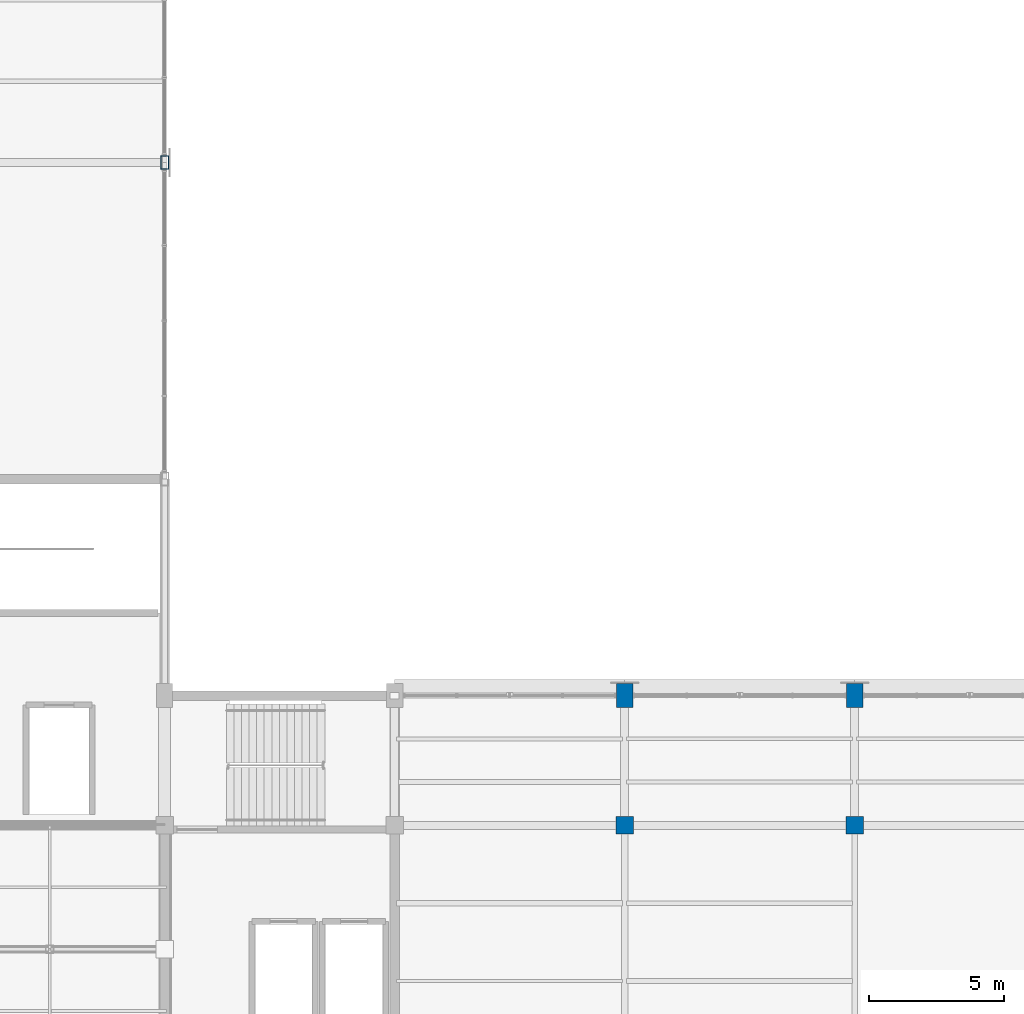
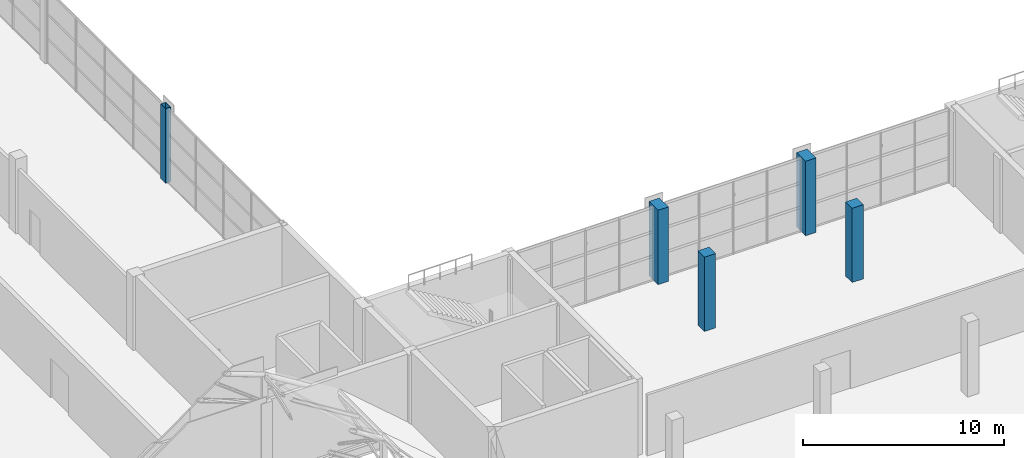
# One storey, part 3 of 86: 5 columns.
"""IFC4 building model written with IfcOpenShell, lengths in metres."""

import ifcopenshell
import ifcopenshell.guid

model = None  # the IFC model being written
_history = None  # IfcOwnerHistory: only IFC2X3 demands one
_inside = {}  # id of a spatial element -> (the spatial element, [elements in it])
_under = {}  # id of a project, library or spatial element -> (it, [spatial elements below it])
_declared = {}  # id of a project -> (the project, [libraries it declares])
_typed = {}  # id of a type object -> (the type object, [elements of that type])
_made_of = {}  # id of a material, layer set ... -> (it, [elements and type objects made of it])


def new_model(schema):
    """Start an empty IFC model of exactly this schema.

    Asked for "IFC4X3", IfcOpenShell would pick the latest addendum, in which some entities
    have other attributes; the version numbers below select the first issue.
    IFC2X3 requires an IfcOwnerHistory on every rooted entity: one is made here for all.
    """
    global model, _history
    if schema == "IFC4X3":
        model = ifcopenshell.file(schema_version=(4, 3, 0, 0))
    else:
        model = ifcopenshell.file(schema=schema)
    _inside.clear()
    _under.clear()
    _declared.clear()
    _typed.clear()
    _made_of.clear()
    _history = None
    if model.schema == "IFC2X3":
        org = make("IfcOrganization", Name="unknown")
        user = make(
            "IfcPersonAndOrganization",
            ThePerson=make("IfcPerson", FamilyName="unknown"),
            TheOrganization=org,
        )
        app = make(
            "IfcApplication",
            ApplicationDeveloper=org,
            Version="unknown",
            ApplicationFullName="unknown",
            ApplicationIdentifier="unknown",
        )
        _history = make(
            "IfcOwnerHistory",
            OwningUser=user,
            OwningApplication=app,
            ChangeAction="ADDED",
            CreationDate=0,
        )
    return model


def make(cls, **values):
    """One entity of the class cls with the attributes given. An attribute that is None is left unset."""
    return model.create_entity(
        cls, **{name: value for name, value in values.items() if value is not None}
    )


def rooted(cls, **values):
    """An entity with a GlobalId (a new one), such as an element, a storey or a relation."""
    return make(cls, GlobalId=ifcopenshell.guid.new(), OwnerHistory=_history, **values)


def si_unit(unit_type, name, prefix=None):
    """IfcSIUnit, for example si_unit("LENGTHUNIT", "METRE", prefix="MILLI")."""
    return make("IfcSIUnit", UnitType=unit_type, Prefix=prefix, Name=name)


def assignment(units):
    """IfcUnitAssignment: the units of a project."""
    return None if units is None else make("IfcUnitAssignment", Units=units)


def point(xyz):
    """IfcCartesianPoint."""
    return None if xyz is None else make("IfcCartesianPoint", Coordinates=xyz)


def direction(xyz):
    """IfcDirection."""
    return None if xyz is None else make("IfcDirection", DirectionRatios=xyz)


def frame(location, z_axis=None, x_axis=None):
    """IfcAxis2Placement3D, a coordinate frame: its origin and axes. An axis left out is left unset."""
    return make(
        "IfcAxis2Placement3D",
        Location=point(location),
        Axis=direction(z_axis),
        RefDirection=direction(x_axis),
    )


def frame_2d(location, x_axis=None):
    """IfcAxis2Placement2D, a coordinate frame in the plane: its origin and x axis."""
    return make(
        "IfcAxis2Placement2D", Location=point(location), RefDirection=direction(x_axis)
    )


def origin():
    """The frame at (0, 0, 0) with its axes left unset."""
    return frame((0.0, 0.0, 0.0))


def origin_2d():
    """The frame at (0, 0) in the plane with its x axis left unset."""
    return frame_2d((0.0, 0.0))


def place(relative_to, where):
    """IfcLocalPlacement: puts the frame where relative to a parent placement (None: the world)."""
    return make(
        "IfcLocalPlacement", PlacementRelTo=relative_to, RelativePlacement=where
    )


def context(
    kind, dimensions, precision=None, world=None, true_north=None, identifier=None
):
    """IfcGeometricRepresentationContext, for example the 3D "Model" context."""
    return make(
        "IfcGeometricRepresentationContext",
        ContextIdentifier=identifier,
        ContextType=kind,
        CoordinateSpaceDimension=dimensions,
        Precision=precision,
        WorldCoordinateSystem=world,
        TrueNorth=true_north,
    )


def subcontext(parent, identifier, kind, view, scale=None):
    """IfcGeometricRepresentationSubContext, for example "Body" below "Model"."""
    return make(
        "IfcGeometricRepresentationSubContext",
        ContextIdentifier=identifier,
        ContextType=kind,
        ParentContext=parent,
        TargetScale=scale,
        TargetView=view,
    )


def project(units=None, contexts=None):
    """IfcProject with its units and contexts."""
    return rooted(
        "IfcProject",
        Name="project",
        RepresentationContexts=contexts,
        UnitsInContext=assignment(units),
    )


def spatial(cls, under=None, at=None, **own):
    """A site, building, storey or space (cls), placed at a placement, below another one or the project."""
    s = rooted(cls, ObjectPlacement=at, **own)
    if under is not None:
        _under.setdefault(under.id(), (under, []))[1].append(s)
    return s


def profile(cls, at=None, kind="AREA", **sizes):
    """A parametric profile (cls). Its sizes go by their IFC names, for example OverallWidth=200.0."""
    return make(cls, ProfileType=kind, Position=at, **sizes)


def rectangle(**sizes):
    """IfcRectangleProfileDef."""
    return profile("IfcRectangleProfileDef", **sizes)


def hollow_rectangle(**sizes):
    """IfcRectangleHollowProfileDef."""
    return profile("IfcRectangleHollowProfileDef", **sizes)


def extrude(swept, where, along, depth):
    """IfcExtrudedAreaSolid: the profile swept, set in the frame where, extruded along a direction by depth."""
    return make(
        "IfcExtrudedAreaSolid",
        SweptArea=swept,
        Position=where,
        ExtrudedDirection=direction(along),
        Depth=depth,
    )


def shape(context_of_items, identifier, shape_type, items):
    """IfcShapeRepresentation: the items that make up one representation, for example the "Body"."""
    return make(
        "IfcShapeRepresentation",
        ContextOfItems=context_of_items,
        RepresentationIdentifier=identifier,
        RepresentationType=shape_type,
        Items=items,
    )


def material(Name=None, Category=None):
    """IfcMaterial."""
    return make("IfcMaterial", Name=Name, Category=Category)


def material_profile(
    of_material, cross_section, Name=None, Category=None, Priority=None
):
    """IfcMaterialProfile: a cross section and its material."""
    return make(
        "IfcMaterialProfile",
        Name=Name,
        Material=of_material,
        Profile=cross_section,
        Priority=Priority,
        Category=Category,
    )


def profile_set(profiles, Name=None, composite=None):
    """IfcMaterialProfileSet."""
    return make(
        "IfcMaterialProfileSet",
        Name=Name,
        MaterialProfiles=profiles,
        CompositeProfile=composite,
    )


def made_of(thing, what):
    """Note that an element or type object is made of a material, layer set ...; save() writes the relation."""
    if what is not None:
        _made_of.setdefault(what.id(), (what, []))[1].append(thing)
    return thing


def type_object(cls, material=None, **own):
    """A type object (cls), such as IfcWallType, which elements share."""
    return made_of(rooted(cls, **own), material)


def element(
    cls,
    number,
    at=None,
    inside=None,
    cuts=None,
    type_object=None,
    material=None,
    context=None,
    identifier="Body",
    shape_type=None,
    held_by="IfcProductDefinitionShape",
    body=None,
    shapes=None,
    **own,
):
    """One element of the class cls, such as IfcWall. Its Tag is "e" and its number.

    at: its placement. inside: the storey or other place that contains it. cuts: it is an
    opening in that element (IfcRelVoidsElement). A single representation is given by context,
    identifier, shape_type and body (its items); several are given by shapes. held_by: the class
    of the entity that holds the representations. save() writes the other relations.
    """
    e = rooted(cls, Tag="e%d" % number, ObjectPlacement=at, **own)
    if body is not None:
        shapes = [shape(context, identifier, shape_type, body)]
    if shapes is not None:
        e.Representation = make(held_by, Representations=shapes)
    if inside is not None:
        _inside.setdefault(inside.id(), (inside, []))[1].append(e)
    if cuts is not None:
        rooted(
            "IfcRelVoidsElement", RelatingBuildingElement=cuts, RelatedOpeningElement=e
        )
    if type_object is not None:
        _typed.setdefault(type_object.id(), (type_object, []))[1].append(e)
    return made_of(e, material)


def aggregate(whole, parts):
    """IfcRelAggregates: a whole, such as a stair, and the parts it consists of."""
    return rooted("IfcRelAggregates", RelatingObject=whole, RelatedObjects=parts)


def save(model, path):
    """Write the relations noted so far, then the file.

    IfcRelAggregates (storeys below a building ...), IfcRelContainedInSpatialStructure (elements
    in a storey), IfcRelDefinesByType, IfcRelAssociatesMaterial and IfcRelDeclares: one each for
    every whole, place, type object, material and project.
    """
    for whole, parts in _under.values():
        aggregate(whole, parts)
    for where, things in _inside.values():
        rooted(
            "IfcRelContainedInSpatialStructure",
            RelatedElements=things,
            RelatingStructure=where,
        )
    for kind, things in _typed.values():
        rooted("IfcRelDefinesByType", RelatedObjects=things, RelatingType=kind)
    for what, things in _made_of.values():
        rooted("IfcRelAssociatesMaterial", RelatedObjects=things, RelatingMaterial=what)
    for by, libraries in _declared.values():
        rooted("IfcRelDeclares", RelatingContext=by, RelatedDefinitions=libraries)
    model.write(path)


model = new_model("IFC4")

# Units and contexts
model_context = context("Model", 3, precision=1e-05, world=origin(), true_north=direction((0.0, 1.0)))
body_context = subcontext(model_context, "Body", "Model", "MODEL_VIEW")
ifc_project = project(units=[si_unit("LENGTHUNIT", "METRE"), si_unit("AREAUNIT", "SQUARE_METRE"), si_unit("VOLUMEUNIT", "CUBIC_METRE"), si_unit("PLANEANGLEUNIT", "RADIAN"), si_unit("MASSUNIT", "GRAM", prefix="KILO")], contexts=[model_context])

# Site, building, storey
site_placement = place(None, origin())
site = spatial("IfcSite", under=ifc_project, at=site_placement, CompositionType="ELEMENT")
building_placement = place(site_placement, origin())
building = spatial("IfcBuilding", under=site, at=building_placement, Name="Solvikara Media Centre", CompositionType="ELEMENT")
storey_placement = place(building_placement, frame((0.0, 0.0, 15.0)))
storey = spatial("IfcBuildingStorey", under=building, at=storey_placement, Name="L03", CompositionType="ELEMENT", Elevation=15.0)

# Columns
ifc_material_1 = material(Name="Concrete fc' 45 MPa (C45/55)", Category="concrete")
ifc_material_profile_1 = material_profile(ifc_material_1, rectangle(XDim=0.64990234375, YDim=0.64990234375, at=origin_2d()), Name="RC 650x650")
ifc_profile_set_1 = profile_set([ifc_material_profile_1], Name="Concrete fc' 45 MPa (C45/55)")
column_type_1 = type_object("IfcColumnType", Name="CL-02", PredefinedType="COLUMN", material=ifc_profile_set_1)
for number, where, z_axis, x_axis, name in (
    (1, (51.0, 32.0, 0.0), (0.0, 0.0, 1.0), (1.0, 0.0, 0.0), "C-L03-0510-0320"),
    (2, (59.5, 32.0, 0.0), (0.0, 0.0, 1.0), (1.0, 0.0, 0.0), "C-L03-0595-0320"),
):
    element("IfcColumn", number, at=place(storey_placement, frame(where, z_axis=z_axis, x_axis=x_axis)), inside=storey, type_object=column_type_1, Name=name, PredefinedType="COLUMN", context=body_context, shape_type="SweptSolid", body=[
        extrude(rectangle(XDim=0.64990234375, YDim=0.64990234375, at=origin_2d()), origin(), (0.0, 0.0, 1.0), 4.52001953125),
    ])
ifc_material_profile_2 = material_profile(ifc_material_1, rectangle(XDim=0.60009765625, YDim=0.89990234375, at=origin_2d()), Name="RC 600x900")
ifc_profile_set_2 = profile_set([ifc_material_profile_2], Name="Concrete fc' 45 MPa (C45/55)")
column_type_2 = type_object("IfcColumnType", Name="CL-10", PredefinedType="COLUMN", material=ifc_profile_set_2)
for number, where, z_axis, x_axis, name in (
    (3, (51.0, 36.800048828125, 0.0), (0.0, 0.0, 1.0), (1.0, 0.0, 0.0), "C-L03-0510-0368"),
    (4, (59.5, 36.800048828125, 0.0), (0.0, 0.0, 1.0), (1.0, 0.0, 0.0), "C-L03-0595-0368"),
):
    element("IfcColumn", number, at=place(storey_placement, frame(where, z_axis=z_axis, x_axis=x_axis)), inside=storey, type_object=column_type_2, Name=name, PredefinedType="COLUMN", context=body_context, shape_type="SweptSolid", body=[
        extrude(rectangle(XDim=0.60009765625, YDim=0.89990234375, at=origin_2d()), origin(), (0.0, 0.0, 1.0), 4.530029296875),
    ])
ifc_material_2 = material(Name="Steel S355JR", Category="steel")
ifc_material_profile_3 = material_profile(ifc_material_2, hollow_rectangle(XDim=0.300048828125, YDim=0.5, WallThickness=0.01611328125, at=origin_2d()), Name="RHS 500x300x16")
ifc_profile_set_3 = profile_set([ifc_material_profile_3], Name="Steel S355JR")
column_type_3 = type_object("IfcColumnType", Name="CL-28", PredefinedType="COLUMN", material=ifc_profile_set_3)
column_placement = place(storey_placement, frame((34.0, 56.5, 0.0), z_axis=(0.0, 0.0, 1.0), x_axis=(1.0, 0.0, 0.0)))
element("IfcColumn", 5, at=column_placement, inside=storey, type_object=column_type_3, Name="C-L03-0340-0565", PredefinedType="COLUMN", context=body_context, shape_type="SweptSolid", body=[
    extrude(hollow_rectangle(XDim=0.300048828125, YDim=0.5, WallThickness=0.01611328125, at=origin_2d()), origin(), (0.0, 0.0, 1.0), 4.5400390625),
])

save(model, "model.ifc")
